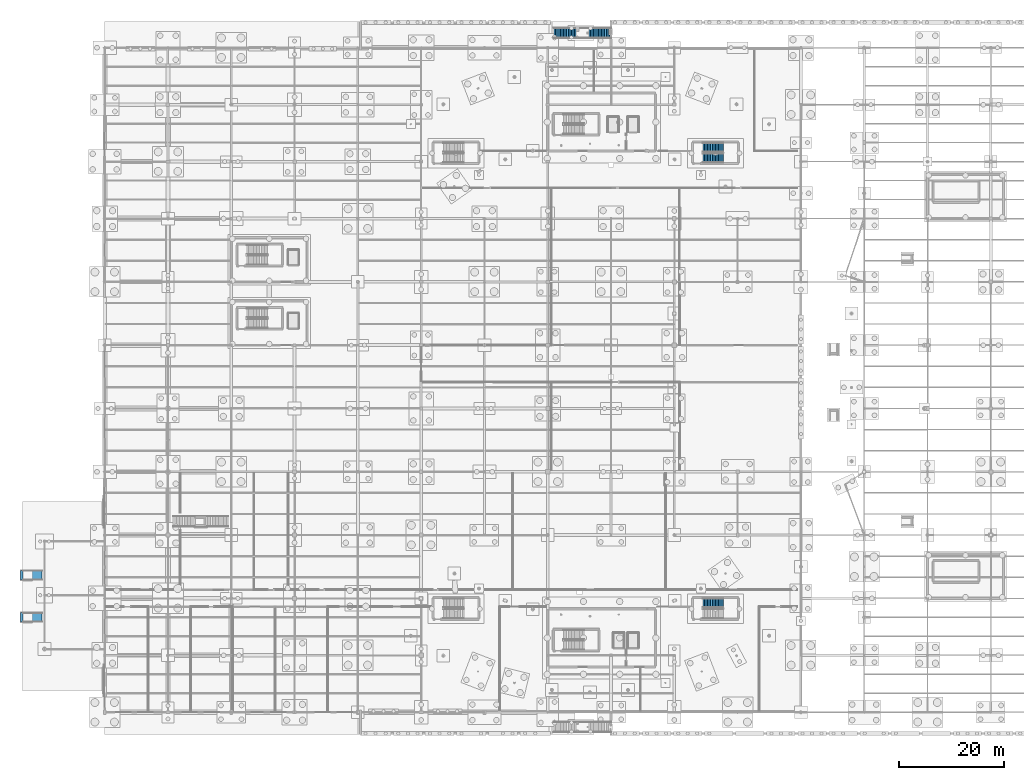
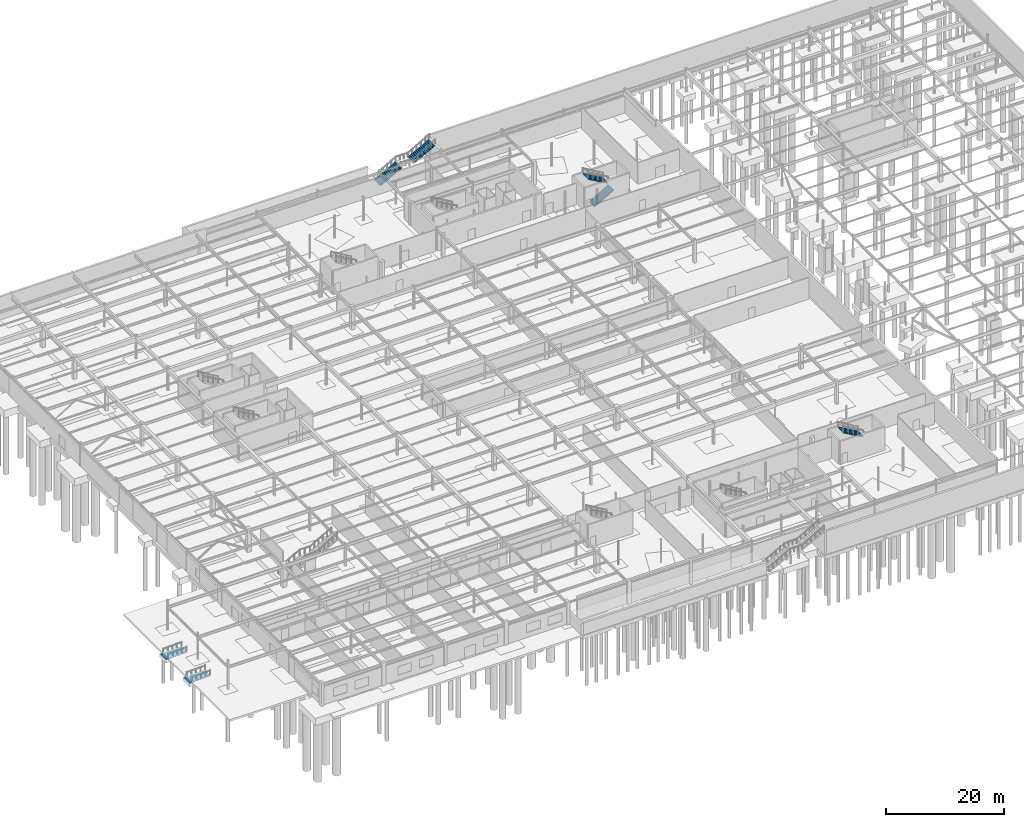
# One storey, part 127 of 136: 5 stair flights, 2 ramps, 2 ramp flights, 3 elements without a shape of their own.
"""IFC4 building model written with IfcOpenShell, lengths in metres."""

from ifc_helpers import new_model, si_unit, direction, frame, origin, origin_2d, place, context, subcontext, project, spatial, polyline, rectangle, outline, extrude, material, layer, layer_set, type_object, element, aggregate, save


model = new_model("IFC4")

# Units and contexts
model_context = context("Model", 3, precision=1e-05, world=origin(), true_north=direction((0.0, 1.0)))
body_context = subcontext(model_context, "Body", "Model", "MODEL_VIEW")
ifc_project = project(units=[si_unit("LENGTHUNIT", "METRE"), si_unit("AREAUNIT", "SQUARE_METRE"), si_unit("VOLUMEUNIT", "CUBIC_METRE"), si_unit("PLANEANGLEUNIT", "RADIAN"), si_unit("MASSUNIT", "GRAM", prefix="KILO")], contexts=[model_context])

# Site, building, storey
site_placement = place(None, origin())
site = spatial("IfcSite", under=ifc_project, at=site_placement, CompositionType="ELEMENT")
building_placement = place(site_placement, origin())
building = spatial("IfcBuilding", under=site, at=building_placement, Name="Tarnwether General Hospital", CompositionType="ELEMENT")
storey_placement = place(building_placement, frame((0.0, 0.0, -4.800048828125)))
storey = spatial("IfcBuildingStorey", under=building, at=storey_placement, Name="LG", CompositionType="ELEMENT", Elevation=-4.800048828125)

# Stair, stair flights
ifc_material_1 = material(Name="Concrete 40 MPa", Category="concrete")
stair_type_1 = type_object("IfcStairType", Name="ST-DL48B", PredefinedType="HALF_TURN_STAIR", material=ifc_material_1)
stair_1_placement = place(storey_placement, origin())
stair_1 = element("IfcStair", 1, at=stair_1_placement, inside=storey, type_object=stair_type_1, Name="LG Exit Stair ST-08", PredefinedType="HALF_TURN_STAIR")
ifc_material_2 = material(Name="Concrete 40 MPa", Category="concrete")
stair_flight_type_1 = type_object("IfcStairFlightType", Name="SF-48B", PredefinedType="STRAIGHT", material=ifc_material_2)
stair_flight_1_placement = place(storey_placement, frame((113.39990234375, 105.10009765625, 0.0), z_axis=(0.0, 0.0, 1.0), x_axis=(1.0, 0.0, 0.0)))
stair_flight_1 = element("IfcStairFlight", 2, at=stair_flight_1_placement, type_object=stair_flight_type_1, Name="ST-08 flight 1", NumberOfRisers=14, NumberOfTreads=13, PredefinedType="STRAIGHT", RiserHeight=0.171428571, TreadLength=0.3, context=body_context, shape_type="SweptSolid", body=[
    extrude(outline(polyline([(0.0, 0.0), (0.0, 0.17138671875), (0.300048828125, 0.17138671875), (0.300048828125, 0.3427734375), (0.60009765625, 0.3427734375), (0.60009765625, 0.514404296875), (0.89990234375, 0.514404296875), (0.89990234375, 0.685791015625), (1.199951171875, 0.685791015625), (1.199951171875, 0.857177734375), (1.5, 0.857177734375), (1.5, 1.028564453125), (1.800048828125, 1.028564453125), (1.800048828125, 1.199951171875), (2.10009765625, 1.199951171875), (2.10009765625, 1.371337890625), (2.39990234375, 1.371337890625), (2.39990234375, 1.54296875), (2.699951171875, 1.54296875), (2.699951171875, 1.71435546875), (3.0, 1.71435546875), (3.0, 1.8857421875), (3.300048828125, 1.8857421875), (3.300048828125, 2.05712890625), (3.60009765625, 2.05712890625), (3.60009765625, 2.228515625), (3.89990234375, 2.228515625), (3.89990234375, 2.39990234375), (3.89990234375, 2.055908203125), (0.30224609375, 0.0), (0.0, 0.0)])), frame((0.0, 0.89990234375, 0.0), z_axis=(0.0, -1.0, 0.0), x_axis=(1.0, 0.0, 0.0)), (0.0, 0.0, 1.0), 1.800048828125),
])
stair_flight_2_placement = place(storey_placement, frame((117.300048828125, 107.10009765625, 2.400146484375), z_axis=(0.0, 0.0, 1.0), x_axis=(-1.0, 0.0, 0.0)))
stair_flight_2 = element("IfcStairFlight", 3, at=stair_flight_2_placement, type_object=stair_flight_type_1, Name="ST-08 flight 2", NumberOfRisers=14, NumberOfTreads=13, PredefinedType="STRAIGHT", RiserHeight=0.171428571, TreadLength=0.3, context=body_context, shape_type="SweptSolid", body=[
    extrude(outline(polyline([(0.0, 0.0), (0.0, 0.17138671875), (0.300048828125, 0.17138671875), (0.300048828125, 0.3427734375), (0.60009765625, 0.3427734375), (0.60009765625, 0.514404296875), (0.89990234375, 0.514404296875), (0.89990234375, 0.685791015625), (1.199951171875, 0.685791015625), (1.199951171875, 0.857177734375), (1.5, 0.857177734375), (1.5, 1.028564453125), (1.800048828125, 1.028564453125), (1.800048828125, 1.199951171875), (2.10009765625, 1.199951171875), (2.10009765625, 1.371337890625), (2.39990234375, 1.371337890625), (2.39990234375, 1.54296875), (2.699951171875, 1.54296875), (2.699951171875, 1.71435546875), (3.0, 1.71435546875), (3.0, 1.8857421875), (3.300048828125, 1.8857421875), (3.300048828125, 2.05712890625), (3.60009765625, 2.05712890625), (3.60009765625, 2.228515625), (3.89990234375, 2.228515625), (3.89990234375, 2.39990234375), (3.89990234375, 2.055908203125), (0.30224609375, 0.0), (0.0, 0.0)])), frame((0.0, 0.89990234375, 0.0), z_axis=(0.0, -1.0, 0.0), x_axis=(1.0, 0.0, 0.0)), (0.0, 0.0, 1.0), 1.800048828125),
])
aggregate(stair_1, [stair_flight_1, stair_flight_2])

# Stair, stair flight
stair_2_placement = place(storey_placement, origin())
stair_2 = element("IfcStair", 4, at=stair_2_placement, inside=storey, type_object=stair_type_1, Name="LG Exit Stair ST-10", PredefinedType="HALF_TURN_STAIR")
stair_flight_3_placement = place(storey_placement, frame((117.300048828125, 20.699951171875, 2.400146484375), z_axis=(0.0, 0.0, 1.0), x_axis=(-1.0, 0.0, 0.0)))
stair_flight_3 = element("IfcStairFlight", 5, at=stair_flight_3_placement, type_object=stair_flight_type_1, Name="ST-10 flight 2", NumberOfRisers=14, NumberOfTreads=13, PredefinedType="STRAIGHT", RiserHeight=0.171428571, TreadLength=0.3, context=body_context, shape_type="SweptSolid", body=[
    extrude(outline(polyline([(0.0, 0.0), (0.0, 0.17138671875), (0.300048828125, 0.17138671875), (0.300048828125, 0.3427734375), (0.60009765625, 0.3427734375), (0.60009765625, 0.514404296875), (0.89990234375, 0.514404296875), (0.89990234375, 0.685791015625), (1.199951171875, 0.685791015625), (1.199951171875, 0.857177734375), (1.5, 0.857177734375), (1.5, 1.028564453125), (1.800048828125, 1.028564453125), (1.800048828125, 1.199951171875), (2.10009765625, 1.199951171875), (2.10009765625, 1.371337890625), (2.39990234375, 1.371337890625), (2.39990234375, 1.54296875), (2.699951171875, 1.54296875), (2.699951171875, 1.71435546875), (3.0, 1.71435546875), (3.0, 1.8857421875), (3.300048828125, 1.8857421875), (3.300048828125, 2.05712890625), (3.60009765625, 2.05712890625), (3.60009765625, 2.228515625), (3.89990234375, 2.228515625), (3.89990234375, 2.39990234375), (3.89990234375, 2.055908203125), (0.30224609375, 0.0), (0.0, 0.0)])), frame((0.0, 0.89990234375, 0.0), z_axis=(0.0, -1.0, 0.0), x_axis=(1.0, 0.0, 0.0)), (0.0, 0.0, 1.0), 1.800048828125),
])
aggregate(stair_2, [stair_flight_3])

# Stair, stair flights
ifc_material_3 = material(Name="Concrete 40 MPa", Category="concrete")
stair_type_2 = type_object("IfcStairType", Name="ST-SR48", PredefinedType="STRAIGHT_RUN_STAIR", material=ifc_material_3)
stair_3_placement = place(storey_placement, origin())
stair_3 = element("IfcStair", 6, at=stair_3_placement, inside=storey, type_object=stair_type_2, Name="Exterior Scarp Terrace Stair ST-17", PredefinedType="STRAIGHT_RUN_STAIR")
ifc_material_4 = material(Name="Concrete 40 MPa", Category="concrete")
stair_flight_type_2 = type_object("IfcStairFlightType", Name="SF-SR48", PredefinedType="STRAIGHT", material=ifc_material_4)
stair_flight_4_placement = place(storey_placement, frame((85.199951171875, 128.800048828125, 0.0), z_axis=(0.0, 0.0, 1.0), x_axis=(1.0, 0.0, 0.0)))
stair_flight_4 = element("IfcStairFlight", 7, at=stair_flight_4_placement, type_object=stair_flight_type_2, Name="ST-17 flight 1", NumberOfRisers=15, NumberOfTreads=14, PredefinedType="STRAIGHT", RiserHeight=0.16, TreadLength=0.3, context=body_context, shape_type="SweptSolid", body=[
    extrude(outline(polyline([(0.0, 0.0), (0.0, 0.159912109375), (0.300048828125, 0.159912109375), (0.300048828125, 0.320068359375), (0.60009765625, 0.320068359375), (0.60009765625, 0.47998046875), (0.89990234375, 0.47998046875), (0.89990234375, 0.639892578125), (1.199951171875, 0.639892578125), (1.199951171875, 0.800048828125), (1.5, 0.800048828125), (1.5, 0.9599609375), (1.800048828125, 0.9599609375), (1.800048828125, 1.1201171875), (2.10009765625, 1.1201171875), (2.10009765625, 1.280029296875), (2.39990234375, 1.280029296875), (2.39990234375, 1.43994140625), (2.699951171875, 1.43994140625), (2.699951171875, 1.60009765625), (3.0, 1.60009765625), (3.0, 1.760009765625), (3.300048828125, 1.760009765625), (3.300048828125, 1.919921875), (3.60009765625, 1.919921875), (3.60009765625, 2.080078125), (3.89990234375, 2.080078125), (3.89990234375, 2.239990234375), (4.199951171875, 2.239990234375), (4.199951171875, 2.39990234375), (4.199951171875, 2.0361328125), (0.38232421875, 0.0), (0.0, 0.0)])), frame((0.0, 1.0, 0.0), z_axis=(0.0, -1.0, 0.0), x_axis=(1.0, 0.0, 0.0)), (0.0, 0.0, 1.0), 2.0),
])
stair_flight_5_placement = place(storey_placement, frame((91.800048828125, 128.800048828125, 2.400146484375), z_axis=(0.0, 0.0, 1.0), x_axis=(1.0, 0.0, 0.0)))
stair_flight_5 = element("IfcStairFlight", 8, at=stair_flight_5_placement, type_object=stair_flight_type_2, Name="ST-17 flight 2", NumberOfRisers=15, NumberOfTreads=14, PredefinedType="STRAIGHT", RiserHeight=0.16, TreadLength=0.3, context=body_context, shape_type="SweptSolid", body=[
    extrude(outline(polyline([(0.0, 0.0), (0.0, 0.159912109375), (0.300048828125, 0.159912109375), (0.300048828125, 0.320068359375), (0.60009765625, 0.320068359375), (0.60009765625, 0.47998046875), (0.89990234375, 0.47998046875), (0.89990234375, 0.639892578125), (1.199951171875, 0.639892578125), (1.199951171875, 0.800048828125), (1.5, 0.800048828125), (1.5, 0.9599609375), (1.800048828125, 0.9599609375), (1.800048828125, 1.1201171875), (2.10009765625, 1.1201171875), (2.10009765625, 1.280029296875), (2.39990234375, 1.280029296875), (2.39990234375, 1.43994140625), (2.699951171875, 1.43994140625), (2.699951171875, 1.60009765625), (3.0, 1.60009765625), (3.0, 1.760009765625), (3.300048828125, 1.760009765625), (3.300048828125, 1.919921875), (3.60009765625, 1.919921875), (3.60009765625, 2.080078125), (3.89990234375, 2.080078125), (3.89990234375, 2.239990234375), (4.199951171875, 2.239990234375), (4.199951171875, 2.39990234375), (4.199951171875, 2.0361328125), (0.38232421875, 0.0), (0.0, 0.0)])), frame((0.0, 1.0, 0.0), z_axis=(0.0, -1.0, 0.0), x_axis=(1.0, 0.0, 0.0)), (0.0, 0.0, 1.0), 2.0),
])
aggregate(stair_3, [stair_flight_4, stair_flight_5])

# Ramp flight
ifc_material_5 = material(Name="Concrete 40 MPa", Category="concrete")
ifc_layer = layer(ifc_material_5, 0.199951171875)
ifc_layer_set = layer_set([ifc_layer], Name="Concrete 40 MPa")
ramp_flight_type = type_object("IfcRampFlightType", Name="RF-ACC-01", PredefinedType="STRAIGHT", material=ifc_layer_set)
ramp_flight_1_placement = place(storey_placement, frame((-15.449951171875, 17.10009765625, -0.14990234375), z_axis=(-0.041605178409, 0.0, 0.999134129699), x_axis=(0.999134129699, 0.0, 0.041605178409)))
ramp_flight_1 = element("IfcRampFlight", 9, at=ramp_flight_1_placement, type_object=ramp_flight_type, Name="Accessible Ramp Flight RMP-01", PredefinedType="STRAIGHT", context=body_context, shape_type="SweptSolid", body=[
    extrude(outline(polyline([(0.0, 0.0), (3.602973223133835, 0.0), (3.602973223133835, 1.7998046875), (0.0, 1.7998046875), (0.0, 0.0)])), origin(), (0.0, 0.0, -1.0), 0.199951171875),
])

ramp_flight_2_placement = place(storey_placement, frame((-15.449951171875, 25.10009765625, -0.14990234375), z_axis=(-0.041605178409, 0.0, 0.999134129699), x_axis=(0.999134129699, 0.0, 0.041605178409)))
ramp_flight_2 = element("IfcRampFlight", 10, at=ramp_flight_2_placement, type_object=ramp_flight_type, Name="Accessible Ramp Flight RMP-02", PredefinedType="STRAIGHT", context=body_context, shape_type="SweptSolid", body=[
    extrude(outline(polyline([(0.0, 0.0), (3.602973223133835, 0.0), (3.602973223133835, 1.7998046875), (0.0, 1.7998046875), (0.0, 0.0)])), origin(), (0.0, 0.0, -1.0), 0.199951171875),
])

# Ramp
ifc_material_6 = material(Name="Concrete 40 MPa", Category="concrete")
ramp_type = type_object("IfcRampType", Name="RM-ACC-01", PredefinedType="STRAIGHT_RUN_RAMP", material=ifc_material_6)
ramp_1_placement = place(storey_placement, frame((-15.699951171875, 18.0, -0.35009765625), z_axis=(0.0, 0.0, 1.0), x_axis=(1.0, 0.0, 0.0)))
ramp_1 = element("IfcRamp", 11, at=ramp_1_placement, inside=storey, type_object=ramp_type, Name="Accessible Threshold Ramp RMP-01", PredefinedType="STRAIGHT_RUN_RAMP", context=body_context, shape_type="SweptSolid", body=[
    extrude(rectangle(XDim=0.5, YDim=1.800048828125, at=origin_2d()), origin(), (0.0, 0.0, 1.0), 0.199951171875),
])

aggregate(ramp_1, [ramp_flight_1])

ramp_2_placement = place(storey_placement, frame((-15.699951171875, 26.0, -0.35009765625), z_axis=(0.0, 0.0, 1.0), x_axis=(1.0, 0.0, 0.0)))
ramp_2 = element("IfcRamp", 12, at=ramp_2_placement, inside=storey, type_object=ramp_type, Name="Accessible Threshold Ramp RMP-02", PredefinedType="STRAIGHT_RUN_RAMP", context=body_context, shape_type="SweptSolid", body=[
    extrude(rectangle(XDim=0.5, YDim=1.800048828125, at=origin_2d()), origin(), (0.0, 0.0, 1.0), 0.199951171875),
])

aggregate(ramp_2, [ramp_flight_2])

save(model, "model.ifc")
